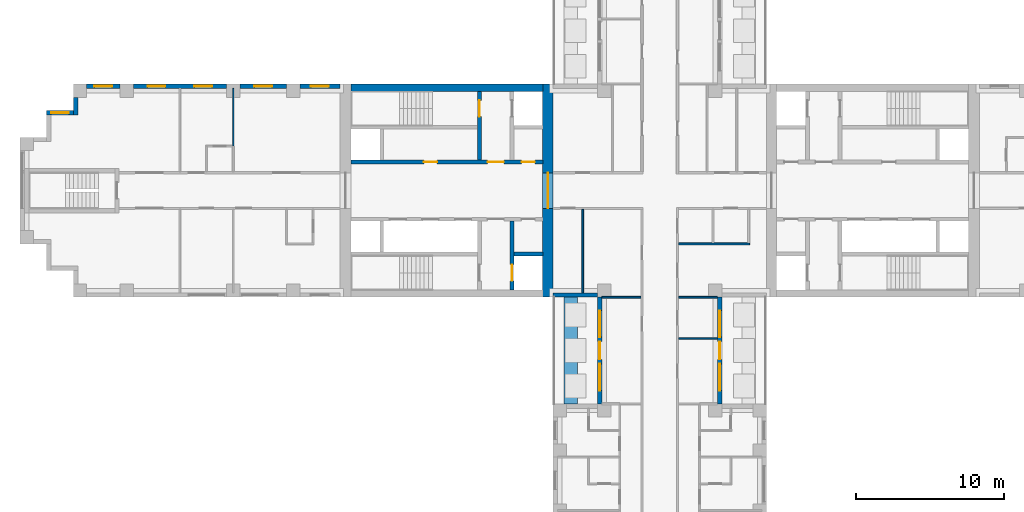
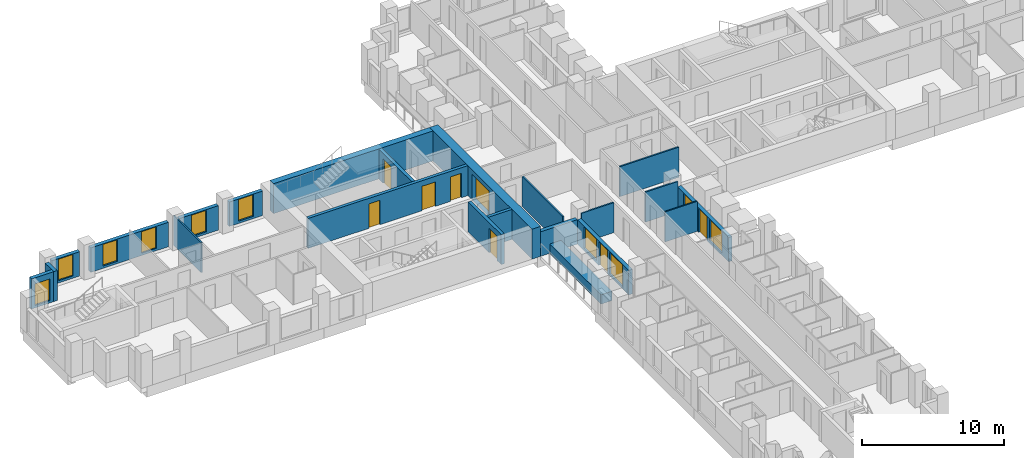
# One storey, part 7 of 14: 22 walls, 10 windows, 8 doors, 18 openings.
"""IFC4 building model written with IfcOpenShell, lengths in metres."""

from ifc_helpers import new_model, si_unit, direction, frame, frame_2d, origin, place, context, subcontext, project, spatial, rectangle, extrude, material, layer, layer_set, type_object, element, fill, save


model = new_model("IFC4")

# Units and contexts
model_context = context("Model", 3, precision=1e-05, world=origin(), true_north=direction((0.0, 1.0)))
body_context = subcontext(model_context, "Body", "Model", "MODEL_VIEW")
ifc_project = project(units=[si_unit("LENGTHUNIT", "METRE"), si_unit("AREAUNIT", "SQUARE_METRE"), si_unit("VOLUMEUNIT", "CUBIC_METRE"), si_unit("PLANEANGLEUNIT", "RADIAN"), si_unit("MASSUNIT", "GRAM", prefix="KILO")], contexts=[model_context])

# Site, building, storey
site_placement = place(None, origin())
site = spatial("IfcSite", under=ifc_project, at=site_placement, CompositionType="ELEMENT")
building_placement = place(site_placement, origin())
building = spatial("IfcBuilding", under=site, at=building_placement, Name="Fustian Cross Tower", CompositionType="ELEMENT")
storey_placement = place(building_placement, frame((0.0, 0.0, 96.89990234375)))
storey = spatial("IfcBuildingStorey", under=building, at=storey_placement, Name="L30", CompositionType="ELEMENT", Elevation=96.89990234375)

# Wall, opening, door
ifc_material_1 = material(Name="Concrete C70/85", Category="concrete")
ifc_layer_1 = layer(ifc_material_1, 0.699951171875)
ifc_layer_set_1 = layer_set([ifc_layer_1], Name="Concrete C70/85")
wall_type_1 = type_object("IfcWallType", Name="CORE END WALL 700 C70/85", PredefinedType="SHEAR", material=ifc_layer_set_1)
wall_1_placement = place(storey_placement, frame((-7.550048828125, -7.199951171875, 0.0), z_axis=(0.0, 0.0, 1.0), x_axis=(0.0, 1.0, 0.0)))
wall_1 = element("IfcWall", 1, at=wall_1_placement, inside=storey, type_object=wall_type_1, Name="Core end wall", PredefinedType="SHEAR", context=body_context, shape_type="SweptSolid", body=[
    extrude(rectangle(XDim=14.39990234375, YDim=0.699951171875, at=frame_2d((7.199951171875, 0.0))), origin(), (0.0, 0.0, 1.0), 2.5751953125),
])
opening_1_placement = place(wall_1_placement, frame((6.0, 0.0, 0.0)))
opening_1 = element("IfcOpeningElement", 2, at=opening_1_placement, cuts=wall_1, Name="Opening CD-09-26", PredefinedType="OPENING", context=body_context, shape_type="SweptSolid", body=[
    extrude(rectangle(XDim=2.39990234375, YDim=2.199951171875, at=frame_2d((1.199951171875, 1.10009765625))), frame((0.0, 0.35986328125, 0.0), z_axis=(0.0, -1.0, 0.0), x_axis=(1.0, 0.0, 0.0)), (0.0, 0.0, 1.0), 0.719970703125),
])
ifc_material_2 = material(Name="Steel", Category="steel")
door_type_1 = type_object("IfcDoorType", Name="FIRE DOOR FD30S DOUBLE 2400X2200", OperationType="DOUBLE_DOOR_DOUBLE_SWING", PredefinedType="DOOR", material=ifc_material_2)
door_1_placement = place(opening_1_placement, origin())
door_1 = element("IfcDoor", 3, at=door_1_placement, inside=storey, type_object=door_type_1, Name="Core door CD-09-26", OperationType="DOUBLE_DOOR_DOUBLE_SWING", OverallHeight=2.199951171875, OverallWidth=2.39990234375, PredefinedType="DOOR", context=body_context, shape_type="SweptSolid", body=[
    extrude(rectangle(XDim=2.39990234375, YDim=2.199951171875, at=frame_2d((1.199951171875, 1.10009765625))), frame((0.0, 0.02490234375, 0.0), z_axis=(0.0, -1.0, 0.0), x_axis=(1.0, 0.0, 0.0)), (0.0, 0.0, 1.0), 0.050048828125),
])
fill(opening_1, door_1)

# Wall
ifc_material_3 = material(Name="Concrete C70/85", Category="concrete")
ifc_layer_2 = layer(ifc_material_3, 0.5)
ifc_layer_set_2 = layer_set([ifc_layer_2], Name="Concrete C70/85")
wall_type_2 = type_object("IfcWallType", Name="CORE FACADE WALL 500 C70/85", PredefinedType="SHEAR", material=ifc_layer_set_2)
wall_2_placement = place(storey_placement, frame((-7.89990234375, 6.949951171875, 0.0), z_axis=(0.0, 0.0, 1.0), x_axis=(-1.0, 0.0, 0.0)))
element("IfcWall", 4, at=wall_2_placement, inside=storey, type_object=wall_type_2, Name="Core facade wall", PredefinedType="SHEAR", context=body_context, shape_type="SweptSolid", body=[
    extrude(rectangle(XDim=12.9501953125, YDim=0.5, at=frame_2d((6.47509765625, 0.0))), origin(), (0.0, 0.0, 1.0), 2.5751953125),
])

# Wall, openings, doors
ifc_material_4 = material(Name="Concrete C50/60", Category="concrete")
ifc_layer_3 = layer(ifc_material_4, 0.25)
ifc_layer_set_3 = layer_set([ifc_layer_3], Name="Concrete C50/60")
wall_type_3 = type_object("IfcWallType", Name="CORE LOBBY WALL 250 C50/60", PredefinedType="SHEAR", material=ifc_layer_set_3)
wall_3_placement = place(storey_placement, frame((-7.89990234375, 1.925048828125, 0.0), z_axis=(0.0, 0.0, 1.0), x_axis=(-1.0, 0.0, 0.0)))
wall_3 = element("IfcWall", 5, at=wall_3_placement, inside=storey, type_object=wall_type_3, Name="Core lobby wall", PredefinedType="SHEAR", context=body_context, shape_type="SweptSolid", body=[
    extrude(rectangle(XDim=12.9501953125, YDim=0.25, at=frame_2d((6.47509765625, 0.0))), origin(), (0.0, 0.0, 1.0), 2.5751953125),
])
opening_2_placement = place(wall_3_placement, frame((0.52490234375, 0.0, 0.0)))
opening_2 = element("IfcOpeningElement", 6, at=opening_2_placement, cuts=wall_3, Name="Opening CD-09-22", PredefinedType="OPENING", context=body_context, shape_type="SweptSolid", body=[
    extrude(rectangle(XDim=0.89990234375, YDim=2.10009765625, at=frame_2d((0.449951171875, 1.050048828125))), frame((0.0, 0.135009765625, 0.0), z_axis=(0.0, -1.0, 0.0), x_axis=(1.0, 0.0, 0.0)), (0.0, 0.0, 1.0), 0.27001953125),
])
opening_3_placement = place(wall_3_placement, frame((2.625, 0.0, 0.0)))
opening_3 = element("IfcOpeningElement", 7, at=opening_3_placement, cuts=wall_3, Name="Opening CD-09-24", PredefinedType="OPENING", context=body_context, shape_type="SweptSolid", body=[
    extrude(rectangle(XDim=1.10009765625, YDim=2.10009765625, at=frame_2d((0.550048828125, 1.050048828125))), frame((0.0, 0.135009765625, 0.0), z_axis=(0.0, -1.0, 0.0), x_axis=(1.0, 0.0, 0.0)), (0.0, 0.0, 1.0), 0.27001953125),
])
opening_4_placement = place(wall_3_placement, frame((7.125, 0.0, 0.0)))
opening_4 = element("IfcOpeningElement", 8, at=opening_4_placement, cuts=wall_3, Name="Opening CD-09-28", PredefinedType="OPENING", context=body_context, shape_type="SweptSolid", body=[
    extrude(rectangle(XDim=0.89990234375, YDim=2.10009765625, at=frame_2d((0.449951171875, 1.050048828125))), frame((0.0, 0.135009765625, 0.0), z_axis=(0.0, -1.0, 0.0), x_axis=(1.0, 0.0, 0.0)), (0.0, 0.0, 1.0), 0.27001953125),
])
ifc_material_5 = material(Name="Steel", Category="steel")
door_type_2 = type_object("IfcDoorType", Name="FIRE DOOR FD30S 900X2100", OperationType="SINGLE_SWING_LEFT", PredefinedType="DOOR", material=ifc_material_5)
door_2_placement = place(opening_4_placement, frame((0.89990234375, 0.0, 0.0), z_axis=(0.0, 0.0, 1.0), x_axis=(-1.0, 0.0, 0.0)))
door_2 = element("IfcDoor", 9, at=door_2_placement, inside=storey, type_object=door_type_2, Name="Core door CD-09-28", OperationType="SINGLE_SWING_RIGHT", OverallHeight=2.10009765625, OverallWidth=0.89990234375, PredefinedType="DOOR", context=body_context, shape_type="SweptSolid", body=[
    extrude(rectangle(XDim=0.89990234375, YDim=2.10009765625, at=frame_2d((0.449951171875, 1.050048828125))), frame((0.0, 0.02490234375, 0.0), z_axis=(0.0, -1.0, 0.0), x_axis=(1.0, 0.0, 0.0)), (0.0, 0.0, 1.0), 0.050048828125),
])
fill(opening_4, door_2)
ifc_material_6 = material(Name="Steel", Category="steel")
door_type_3 = type_object("IfcDoorType", Name="FIRE DOOR FD60S 1100X2100", OperationType="SINGLE_SWING_LEFT", PredefinedType="DOOR", material=ifc_material_6)
door_3_placement = place(opening_3_placement, frame((1.10009765625, 0.0, 0.0), z_axis=(0.0, 0.0, 1.0), x_axis=(-1.0, 0.0, 0.0)))
door_3 = element("IfcDoor", 10, at=door_3_placement, inside=storey, type_object=door_type_3, Name="Core door CD-09-24", OperationType="SINGLE_SWING_RIGHT", OverallHeight=2.10009765625, OverallWidth=1.10009765625, PredefinedType="DOOR", context=body_context, shape_type="SweptSolid", body=[
    extrude(rectangle(XDim=1.10009765625, YDim=2.10009765625, at=frame_2d((0.550048828125, 1.050048828125))), frame((0.0, 0.02490234375, 0.0), z_axis=(0.0, -1.0, 0.0), x_axis=(1.0, 0.0, 0.0)), (0.0, 0.0, 1.0), 0.050048828125),
])
fill(opening_3, door_3)
ifc_material_7 = material(Name="Steel", Category="steel")
door_type_4 = type_object("IfcDoorType", Name="FIRE DOOR FD60S 900X2100", OperationType="SINGLE_SWING_LEFT", PredefinedType="DOOR", material=ifc_material_7)
door_4_placement = place(opening_2_placement, frame((0.89990234375, 0.0, 0.0), z_axis=(0.0, 0.0, 1.0), x_axis=(-1.0, 0.0, 0.0)))
door_4 = element("IfcDoor", 11, at=door_4_placement, inside=storey, type_object=door_type_4, Name="Core door CD-09-22", OperationType="SINGLE_SWING_RIGHT", OverallHeight=2.10009765625, OverallWidth=0.89990234375, PredefinedType="DOOR", context=body_context, shape_type="SweptSolid", body=[
    extrude(rectangle(XDim=0.89990234375, YDim=2.10009765625, at=frame_2d((0.449951171875, 1.050048828125))), frame((0.0, 0.02490234375, 0.0), z_axis=(0.0, -1.0, 0.0), x_axis=(1.0, 0.0, 0.0)), (0.0, 0.0, 1.0), 0.050048828125),
])
fill(opening_2, door_4)

# Wall, opening, door
ifc_material_8 = material(Name="Concrete C50/60", Category="concrete")
ifc_layer_4 = layer(ifc_material_8, 0.25)
ifc_layer_set_4 = layer_set([ifc_layer_4], Name="Concrete C50/60")
wall_type_4 = type_object("IfcWallType", Name="CORE SHAFT WALL 250 C50/60", PredefinedType="SHEAR", material=ifc_layer_set_4)
wall_4_placement = place(storey_placement, frame((-12.175048828125, 2.050048828125, 0.0), z_axis=(0.0, 0.0, 1.0), x_axis=(0.0, 1.0, 0.0)))
wall_4 = element("IfcWall", 12, at=wall_4_placement, inside=storey, type_object=wall_type_4, Name="Core shaft wall", PredefinedType="SHEAR", context=body_context, shape_type="SweptSolid", body=[
    extrude(rectangle(XDim=4.64990234375, YDim=0.25, at=frame_2d((2.324951171875, 0.0))), origin(), (0.0, 0.0, 1.0), 2.5751953125),
])
opening_5_placement = place(wall_4_placement, frame((2.949951171875, 0.0, 0.0)))
opening_5 = element("IfcOpeningElement", 13, at=opening_5_placement, cuts=wall_4, Name="Opening CD-09-20", PredefinedType="OPENING", context=body_context, shape_type="SweptSolid", body=[
    extrude(rectangle(XDim=1.10009765625, YDim=2.10009765625, at=frame_2d((0.550048828125, 1.050048828125))), frame((0.0, 0.135009765625, 0.0), z_axis=(0.0, -1.0, 0.0), x_axis=(1.0, 0.0, 0.0)), (0.0, 0.0, 1.0), 0.27001953125),
])
door_5_placement = place(opening_5_placement, origin())
door_5 = element("IfcDoor", 14, at=door_5_placement, inside=storey, type_object=door_type_3, Name="Core door CD-09-20", OperationType="SINGLE_SWING_LEFT", OverallHeight=2.10009765625, OverallWidth=1.10009765625, PredefinedType="DOOR", context=body_context, shape_type="SweptSolid", body=[
    extrude(rectangle(XDim=1.10009765625, YDim=2.10009765625, at=frame_2d((0.550048828125, 1.050048828125))), frame((0.0, 0.02490234375, 0.0), z_axis=(0.0, -1.0, 0.0), x_axis=(1.0, 0.0, 0.0)), (0.0, 0.0, 1.0), 0.050048828125),
])
fill(opening_5, door_5)

# Wall
wall_5_placement = place(storey_placement, frame((-7.89990234375, -4.27490234375, 0.0), z_axis=(0.0, 0.0, 1.0), x_axis=(-1.0, 0.0, 0.0)))
element("IfcWall", 15, at=wall_5_placement, inside=storey, type_object=wall_type_4, Name="Core shaft wall", PredefinedType="SHEAR", context=body_context, shape_type="SweptSolid", body=[
    extrude(rectangle(XDim=1.9501953125, YDim=0.25, at=frame_2d((0.97509765625, 0.0))), origin(), (0.0, 0.0, 1.0), 2.5751953125),
])

# Wall, opening, door
wall_6_placement = place(storey_placement, frame((-9.97509765625, -2.050048828125, 0.0), z_axis=(0.0, 0.0, 1.0), x_axis=(0.0, -1.0, 0.0)))
wall_6 = element("IfcWall", 16, at=wall_6_placement, inside=storey, type_object=wall_type_4, Name="Core shaft wall", PredefinedType="SHEAR", context=body_context, shape_type="SweptSolid", body=[
    extrude(rectangle(XDim=4.64990234375, YDim=0.25, at=frame_2d((2.324951171875, 0.0))), origin(), (0.0, 0.0, 1.0), 2.5751953125),
])
opening_6_placement = place(wall_6_placement, frame((2.949951171875, 0.0, 0.0)))
opening_6 = element("IfcOpeningElement", 17, at=opening_6_placement, cuts=wall_6, Name="Opening LD", PredefinedType="OPENING", context=body_context, shape_type="SweptSolid", body=[
    extrude(rectangle(XDim=1.10009765625, YDim=2.10009765625, at=frame_2d((0.550048828125, 1.050048828125))), frame((0.0, 0.135009765625, 0.0), z_axis=(0.0, -1.0, 0.0), x_axis=(1.0, 0.0, 0.0)), (0.0, 0.0, 1.0), 0.27001953125),
])
ifc_material_9 = material(Name="Stainless steel", Category="steel")
door_type_5 = type_object("IfcDoorType", Name="LIFT LANDING DOOR 1100X2100", OperationType="SLIDING_TO_LEFT", PredefinedType="DOOR", material=ifc_material_9)
door_6_placement = place(opening_6_placement, origin())
door_6 = element("IfcDoor", 18, at=door_6_placement, inside=storey, type_object=door_type_5, Name="Landing door SV1W", OperationType="SLIDING_TO_LEFT", OverallHeight=2.10009765625, OverallWidth=1.10009765625, PredefinedType="DOOR", context=body_context, shape_type="SweptSolid", body=[
    extrude(rectangle(XDim=1.10009765625, YDim=2.10009765625, at=frame_2d((0.550048828125, 1.050048828125))), frame((0.0, 0.02490234375, 0.0), z_axis=(0.0, -1.0, 0.0), x_axis=(1.0, 0.0, 0.0)), (0.0, 0.0, 1.0), 0.050048828125),
])
fill(opening_6, door_6)

# Walls
ifc_material_10 = material(Name="Plasterboard on steel stud", Category="steel")
ifc_layer_5 = layer(ifc_material_10, 0.10009765625)
ifc_layer_set_5 = layer_set([ifc_layer_5], Name="Plasterboard on steel stud")
wall_type_5 = type_object("IfcWallType", Name="PARTITION 100 STUD", PredefinedType="PARTITIONING", material=ifc_layer_set_5)
wall_7_placement = place(storey_placement, frame((-28.800048828125, 3.0, 0.0), z_axis=(0.0, 0.0, 1.0), x_axis=(0.0, 1.0, 0.0)))
element("IfcWall", 19, at=wall_7_placement, inside=storey, type_object=wall_type_5, Name="Partition 9", PredefinedType="PARTITIONING", context=body_context, shape_type="SweptSolid", body=[
    extrude(rectangle(XDim=3.89990234375, YDim=0.10009765625, at=frame_2d((1.949951171875, 0.0))), origin(), (0.0, 0.0, 1.0), 2.5751953125),
])
wall_8_placement = place(storey_placement, frame((1.27490234375, -10.0, 0.0), z_axis=(0.0, 0.0, 1.0), x_axis=(1.0, 0.0, 0.0)))
element("IfcWall", 20, at=wall_8_placement, inside=storey, type_object=wall_type_5, Name="Partition 46", PredefinedType="PARTITIONING", context=body_context, shape_type="SweptSolid", body=[
    extrude(rectangle(XDim=2.625, YDim=0.10009765625, at=frame_2d((1.3125, 0.0))), origin(), (0.0, 0.0, 1.0), 2.5751953125),
])
ifc_material_11 = material(Name="Concrete C40/50", Category="concrete")
ifc_layer_6 = layer(ifc_material_11, 0.89990234375)
ifc_layer_set_6 = layer_set([ifc_layer_6], Name="Concrete C40/50")
wall_type_6 = type_object("IfcWallType", Name="PK1 PLANTER 900", PredefinedType="PARAPET", material=ifc_layer_set_6)
wall_9_placement = place(storey_placement, frame((-6.0, -14.39990234375, 0.0), z_axis=(0.0, 0.0, 1.0), x_axis=(0.0, 1.0, 0.0)))
element("IfcWall", 21, at=wall_9_placement, inside=storey, type_object=wall_type_6, Name="PLANTER", PredefinedType="PARAPET", context=body_context, shape_type="SweptSolid", body=[
    extrude(rectangle(XDim=7.199951171875, YDim=0.89990234375, at=frame_2d((3.60009765625, 0.0))), origin(), (0.0, 0.0, 1.0), 0.800048828125),
])
ifc_material_12 = material(Name="Plasterboard on steel stud", Category="steel")
ifc_layer_7 = layer(ifc_material_12, 0.125)
ifc_layer_set_7 = layer_set([ifc_layer_7], Name="Plasterboard on steel stud")
wall_type_7 = type_object("IfcWallType", Name="WET WALL 125 STUD", PredefinedType="PARTITIONING", material=ifc_layer_set_7)
wall_10_placement = place(storey_placement, frame((-5.199951171875, -6.89990234375, 0.0), z_axis=(0.0, 0.0, 1.0), x_axis=(0.0, 1.0, 0.0)))
element("IfcWall", 22, at=wall_10_placement, inside=storey, type_object=wall_type_7, Name="Partition 22", PredefinedType="PARTITIONING", context=body_context, shape_type="SweptSolid", body=[
    extrude(rectangle(XDim=5.625, YDim=0.125, at=frame_2d((2.8125, 0.0))), origin(), (0.0, 0.0, 1.0), 2.5751953125),
])
for number, where, z_axis, x_axis, name in (
    (23, (-3.89990234375, -7.199951171875, 0.0), (0.0, 0.0, 1.0), (1.0, 0.0, 0.0), "Partition 34"),
    (24, (1.27490234375, -7.199951171875, 0.0), (0.0, 0.0, 1.0), (1.0, 0.0, 0.0), "Partition 47"),
):
    element("IfcWall", number, at=place(storey_placement, frame(where, z_axis=z_axis, x_axis=x_axis)), inside=storey, type_object=wall_type_7, Name=name, PredefinedType="PARTITIONING", context=body_context, shape_type="SweptSolid", body=[
        extrude(rectangle(XDim=2.625, YDim=0.125, at=frame_2d((1.3125, 0.0))), origin(), (0.0, 0.0, 1.0), 2.5751953125),
    ])
wall_11_placement = place(storey_placement, frame((1.27490234375, -3.60009765625, 0.0), z_axis=(0.0, 0.0, 1.0), x_axis=(1.0, 0.0, 0.0)))
element("IfcWall", 25, at=wall_11_placement, inside=storey, type_object=wall_type_7, Name="Partition 48", PredefinedType="PARTITIONING", context=body_context, shape_type="SweptSolid", body=[
    extrude(rectangle(XDim=4.78759765625, YDim=0.125, at=frame_2d((2.393798828125, 0.0))), origin(), (0.0, 0.0, 1.0), 2.5751953125),
])

# Wall, opening, window
ifc_material_13 = material(Name="Dark aluminium cladding on insulated backing wall", Category="aluminium")
ifc_layer_8 = layer(ifc_material_13, 0.300048828125)
ifc_layer_set_8 = layer_set([ifc_layer_8], Name="Dark aluminium cladding on insulated backing wall")
wall_type_8 = type_object("IfcWallType", Name="XW1 EXTERNAL WALL 300", PredefinedType="SOLIDWALL", material=ifc_layer_set_8)
wall_12_placement = place(storey_placement, frame((-21.60009765625, 7.050048828125, 0.0), z_axis=(0.0, 0.0, 1.0), x_axis=(-1.0, 0.0, 0.0)))
wall_12 = element("IfcWall", 26, at=wall_12_placement, inside=storey, type_object=wall_type_8, Name="External wall", PredefinedType="SOLIDWALL", context=body_context, shape_type="SweptSolid", body=[
    extrude(rectangle(XDim=2.699951171875, YDim=0.300048828125, at=frame_2d((1.35009765625, 0.0))), origin(), (0.0, 0.0, 1.0), 2.10009765625),
])
opening_7_placement = place(wall_12_placement, frame((0.75, 0.0, 0.199951171875)))
opening_7 = element("IfcOpeningElement", 27, at=opening_7_placement, cuts=wall_12, Name="Opening WN3", PredefinedType="OPENING", context=body_context, shape_type="SweptSolid", body=[
    extrude(rectangle(XDim=1.199951171875, YDim=1.85009765625, at=frame_2d((0.60009765625, 0.925048828125))), frame((0.0, 0.159912109375, 0.0), z_axis=(0.0, -1.0, 0.0), x_axis=(1.0, 0.0, 0.0)), (0.0, 0.0, 1.0), 0.320068359375),
])
ifc_material_14 = material(Name="Dark anodised aluminium and double glazing", Category="aluminium")
window_type_1 = type_object("IfcWindowType", Name="WN3 WINDOW 1200X1850", PartitioningType="SINGLE_PANEL", PredefinedType="WINDOW", material=ifc_material_14)
window_1_placement = place(opening_7_placement, origin())
window_1 = element("IfcWindow", 28, at=window_1_placement, inside=storey, type_object=window_type_1, Name="Window", OverallHeight=1.85009765625, OverallWidth=1.199951171875, PartitioningType="SINGLE_PANEL", PredefinedType="WINDOW", context=body_context, shape_type="SweptSolid", body=[
    extrude(rectangle(XDim=1.199951171875, YDim=1.85009765625, at=frame_2d((0.60009765625, 0.925048828125))), frame((0.0, 0.030029296875, 0.0), z_axis=(0.0, -1.0, 0.0), x_axis=(1.0, 0.0, 0.0)), (0.0, 0.0, 1.0), 0.06005859375),
])
fill(opening_7, window_1)

wall_13_placement = place(storey_placement, frame((-25.199951171875, 7.050048828125, 0.0), z_axis=(0.0, 0.0, 1.0), x_axis=(-1.0, 0.0, 0.0)))
wall_13 = element("IfcWall", 29, at=wall_13_placement, inside=storey, type_object=wall_type_8, Name="External wall", PredefinedType="SOLIDWALL", context=body_context, shape_type="SweptSolid", body=[
    extrude(rectangle(XDim=3.150146484375, YDim=0.300048828125, at=frame_2d((1.5751953125, 0.0))), origin(), (0.0, 0.0, 1.0), 2.10009765625),
])
opening_8_placement = place(wall_13_placement, frame((0.97509765625, 0.0, 0.199951171875)))
opening_8 = element("IfcOpeningElement", 30, at=opening_8_placement, cuts=wall_13, Name="Opening WN3", PredefinedType="OPENING", context=body_context, shape_type="SweptSolid", body=[
    extrude(rectangle(XDim=1.199951171875, YDim=1.85009765625, at=frame_2d((0.60009765625, 0.925048828125))), frame((0.0, 0.159912109375, 0.0), z_axis=(0.0, -1.0, 0.0), x_axis=(1.0, 0.0, 0.0)), (0.0, 0.0, 1.0), 0.320068359375),
])
window_2_placement = place(opening_8_placement, origin())
window_2 = element("IfcWindow", 31, at=window_2_placement, inside=storey, type_object=window_type_1, Name="Window", OverallHeight=1.85009765625, OverallWidth=1.199951171875, PartitioningType="SINGLE_PANEL", PredefinedType="WINDOW", context=body_context, shape_type="SweptSolid", body=[
    extrude(rectangle(XDim=1.199951171875, YDim=1.85009765625, at=frame_2d((0.60009765625, 0.925048828125))), frame((0.0, 0.030029296875, 0.0), z_axis=(0.0, -1.0, 0.0), x_axis=(1.0, 0.0, 0.0)), (0.0, 0.0, 1.0), 0.06005859375),
])
fill(opening_8, window_2)

# Wall, openings, windows
wall_14_placement = place(storey_placement, frame((-29.25, 7.050048828125, 0.0), z_axis=(0.0, 0.0, 1.0), x_axis=(-1.0, 0.0, 0.0)))
wall_14 = element("IfcWall", 32, at=wall_14_placement, inside=storey, type_object=wall_type_8, Name="External wall", PredefinedType="SOLIDWALL", context=body_context, shape_type="SweptSolid", body=[
    extrude(rectangle(XDim=6.300048828125, YDim=0.300048828125, at=frame_2d((3.14990234375, 0.0))), origin(), (0.0, 0.0, 1.0), 2.10009765625),
])
opening_9_placement = place(wall_14_placement, frame((0.97509765625, 0.0, 0.199951171875)))
opening_9 = element("IfcOpeningElement", 33, at=opening_9_placement, cuts=wall_14, Name="Opening WN3", PredefinedType="OPENING", context=body_context, shape_type="SweptSolid", body=[
    extrude(rectangle(XDim=1.199951171875, YDim=1.85009765625, at=frame_2d((0.60009765625, 0.925048828125))), frame((0.0, 0.159912109375, 0.0), z_axis=(0.0, -1.0, 0.0), x_axis=(1.0, 0.0, 0.0)), (0.0, 0.0, 1.0), 0.320068359375),
])
opening_10_placement = place(wall_14_placement, frame((4.125, 0.0, 0.199951171875)))
opening_10 = element("IfcOpeningElement", 34, at=opening_10_placement, cuts=wall_14, Name="Opening WN3", PredefinedType="OPENING", context=body_context, shape_type="SweptSolid", body=[
    extrude(rectangle(XDim=1.199951171875, YDim=1.85009765625, at=frame_2d((0.60009765625, 0.925048828125))), frame((0.0, 0.159912109375, 0.0), z_axis=(0.0, -1.0, 0.0), x_axis=(1.0, 0.0, 0.0)), (0.0, 0.0, 1.0), 0.320068359375),
])
window_3_placement = place(opening_9_placement, origin())
window_3 = element("IfcWindow", 35, at=window_3_placement, inside=storey, type_object=window_type_1, Name="Window", OverallHeight=1.85009765625, OverallWidth=1.199951171875, PartitioningType="SINGLE_PANEL", PredefinedType="WINDOW", context=body_context, shape_type="SweptSolid", body=[
    extrude(rectangle(XDim=1.199951171875, YDim=1.85009765625, at=frame_2d((0.60009765625, 0.925048828125))), frame((0.0, 0.030029296875, 0.0), z_axis=(0.0, -1.0, 0.0), x_axis=(1.0, 0.0, 0.0)), (0.0, 0.0, 1.0), 0.06005859375),
])
fill(opening_9, window_3)
window_4_placement = place(opening_10_placement, origin())
window_4 = element("IfcWindow", 36, at=window_4_placement, inside=storey, type_object=window_type_1, Name="Window", OverallHeight=1.85009765625, OverallWidth=1.199951171875, PartitioningType="SINGLE_PANEL", PredefinedType="WINDOW", context=body_context, shape_type="SweptSolid", body=[
    extrude(rectangle(XDim=1.199951171875, YDim=1.85009765625, at=frame_2d((0.60009765625, 0.925048828125))), frame((0.0, 0.030029296875, 0.0), z_axis=(0.0, -1.0, 0.0), x_axis=(1.0, 0.0, 0.0)), (0.0, 0.0, 1.0), 0.06005859375),
])
fill(opening_10, window_4)

# Wall, opening, window
wall_15_placement = place(storey_placement, frame((-36.449951171875, 7.050048828125, 0.0), z_axis=(0.0, 0.0, 1.0), x_axis=(-1.0, 0.0, 0.0)))
wall_15 = element("IfcWall", 37, at=wall_15_placement, inside=storey, type_object=wall_type_8, Name="External wall", PredefinedType="SOLIDWALL", context=body_context, shape_type="SweptSolid", body=[
    extrude(rectangle(XDim=2.25, YDim=0.300048828125, at=frame_2d((1.125, 0.0))), origin(), (0.0, 0.0, 1.0), 2.10009765625),
])
opening_11_placement = place(wall_15_placement, frame((0.52490234375, 0.0, 0.199951171875)))
opening_11 = element("IfcOpeningElement", 38, at=opening_11_placement, cuts=wall_15, Name="Opening WN3", PredefinedType="OPENING", context=body_context, shape_type="SweptSolid", body=[
    extrude(rectangle(XDim=1.199951171875, YDim=1.85009765625, at=frame_2d((0.60009765625, 0.925048828125))), frame((0.0, 0.159912109375, 0.0), z_axis=(0.0, -1.0, 0.0), x_axis=(1.0, 0.0, 0.0)), (0.0, 0.0, 1.0), 0.320068359375),
])
window_5_placement = place(opening_11_placement, origin())
window_5 = element("IfcWindow", 39, at=window_5_placement, inside=storey, type_object=window_type_1, Name="Window", OverallHeight=1.85009765625, OverallWidth=1.199951171875, PartitioningType="SINGLE_PANEL", PredefinedType="WINDOW", context=body_context, shape_type="SweptSolid", body=[
    extrude(rectangle(XDim=1.199951171875, YDim=1.85009765625, at=frame_2d((0.60009765625, 0.925048828125))), frame((0.0, 0.030029296875, 0.0), z_axis=(0.0, -1.0, 0.0), x_axis=(1.0, 0.0, 0.0)), (0.0, 0.0, 1.0), 0.06005859375),
])
fill(opening_11, window_5)

# Wall
wall_16_placement = place(storey_placement, frame((-39.449951171875, 6.300048828125, 0.0), z_axis=(0.0, 0.0, 1.0), x_axis=(0.0, -1.0, 0.0)))
element("IfcWall", 40, at=wall_16_placement, inside=storey, type_object=wall_type_8, Name="External wall", PredefinedType="SOLIDWALL", context=body_context, shape_type="SweptSolid", body=[
    extrude(rectangle(XDim=1.199951171875, YDim=0.300048828125, at=frame_2d((0.60009765625, 0.0))), origin(), (0.0, 0.0, 1.0), 2.5751953125),
])

# Wall, opening, window
wall_17_placement = place(storey_placement, frame((-39.60009765625, 5.25, 0.0), z_axis=(0.0, 0.0, 1.0), x_axis=(-1.0, 0.0, 0.0)))
wall_17 = element("IfcWall", 41, at=wall_17_placement, inside=storey, type_object=wall_type_8, Name="External wall", PredefinedType="SOLIDWALL", context=body_context, shape_type="SweptSolid", body=[
    extrude(rectangle(XDim=1.7998046875, YDim=0.300048828125, at=frame_2d((0.89990234375, 0.0))), origin(), (0.0, 0.0, 1.0), 2.5751953125),
])
opening_12_placement = place(wall_17_placement, frame((0.300048828125, 0.0, 0.199951171875)))
opening_12 = element("IfcOpeningElement", 42, at=opening_12_placement, cuts=wall_17, Name="Opening WN3", PredefinedType="OPENING", context=body_context, shape_type="SweptSolid", body=[
    extrude(rectangle(XDim=1.199951171875, YDim=1.85009765625, at=frame_2d((0.60009765625, 0.925048828125))), frame((0.0, 0.159912109375, 0.0), z_axis=(0.0, -1.0, 0.0), x_axis=(1.0, 0.0, 0.0)), (0.0, 0.0, 1.0), 0.320068359375),
])
window_6_placement = place(opening_12_placement, origin())
window_6 = element("IfcWindow", 43, at=window_6_placement, inside=storey, type_object=window_type_1, Name="Window", OverallHeight=1.85009765625, OverallWidth=1.199951171875, PartitioningType="SINGLE_PANEL", PredefinedType="WINDOW", context=body_context, shape_type="SweptSolid", body=[
    extrude(rectangle(XDim=1.199951171875, YDim=1.85009765625, at=frame_2d((0.60009765625, 0.925048828125))), frame((0.0, 0.030029296875, 0.0), z_axis=(0.0, -1.0, 0.0), x_axis=(1.0, 0.0, 0.0)), (0.0, 0.0, 1.0), 0.06005859375),
])
fill(opening_12, window_6)

# Wall
wall_18_placement = place(storey_placement, frame((-7.199951171875, -7.050048828125, 0.0), z_axis=(0.0, 0.0, 1.0), x_axis=(1.0, 0.0, 0.0)))
element("IfcWall", 44, at=wall_18_placement, inside=storey, type_object=wall_type_8, Name="External wall", PredefinedType="SOLIDWALL", context=body_context, shape_type="SweptSolid", body=[
    extrude(rectangle(XDim=3.0, YDim=0.300048828125, at=frame_2d((1.5, 0.0))), origin(), (0.0, 0.0, 1.0), 2.10009765625),
])

# Wall, openings, door, windows
wall_19_placement = place(storey_placement, frame((-4.050048828125, -7.199951171875, 0.0), z_axis=(0.0, 0.0, 1.0), x_axis=(0.0, -1.0, 0.0)))
wall_19 = element("IfcWall", 45, at=wall_19_placement, inside=storey, type_object=wall_type_8, Name="External wall", PredefinedType="SOLIDWALL", context=body_context, shape_type="SweptSolid", body=[
    extrude(rectangle(XDim=7.199951171875, YDim=0.300048828125, at=frame_2d((3.60009765625, 0.0))), origin(), (0.0, 0.0, 1.0), 2.10009765625),
])
opening_13_placement = place(wall_19_placement, frame((3.0, 0.0, 0.0)))
opening_13 = element("IfcOpeningElement", 46, at=opening_13_placement, cuts=wall_19, Name="Opening XD4", PredefinedType="OPENING", context=body_context, shape_type="SweptSolid", body=[
    extrude(rectangle(XDim=1.199951171875, YDim=2.050048828125, at=frame_2d((0.60009765625, 1.02490234375))), frame((0.0, 0.159912109375, 0.0), z_axis=(0.0, -1.0, 0.0), x_axis=(1.0, 0.0, 0.0)), (0.0, 0.0, 1.0), 0.320068359375),
])
opening_14_placement = place(wall_19_placement, frame((0.89990234375, 0.0, 0.199951171875)))
opening_14 = element("IfcOpeningElement", 47, at=opening_14_placement, cuts=wall_19, Name="Opening WN2", PredefinedType="OPENING", context=body_context, shape_type="SweptSolid", body=[
    extrude(rectangle(XDim=1.800048828125, YDim=1.85009765625, at=frame_2d((0.89990234375, 0.925048828125))), frame((0.0, 0.159912109375, 0.0), z_axis=(0.0, -1.0, 0.0), x_axis=(1.0, 0.0, 0.0)), (0.0, 0.0, 1.0), 0.320068359375),
])
opening_15_placement = place(wall_19_placement, frame((4.5, 0.0, 0.199951171875)))
opening_15 = element("IfcOpeningElement", 48, at=opening_15_placement, cuts=wall_19, Name="Opening WN2", PredefinedType="OPENING", context=body_context, shape_type="SweptSolid", body=[
    extrude(rectangle(XDim=1.800048828125, YDim=1.85009765625, at=frame_2d((0.89990234375, 0.925048828125))), frame((0.0, 0.159912109375, 0.0), z_axis=(0.0, -1.0, 0.0), x_axis=(1.0, 0.0, 0.0)), (0.0, 0.0, 1.0), 0.320068359375),
])
ifc_material_15 = material(Name="Dark anodised aluminium and double glazing", Category="aluminium")
door_type_6 = type_object("IfcDoorType", Name="ED1 BALCONY DOOR 1200X2050", OperationType="SINGLE_SWING_LEFT", PredefinedType="DOOR", material=ifc_material_15)
door_7_placement = place(opening_13_placement, origin())
door_7 = element("IfcDoor", 49, at=door_7_placement, inside=storey, type_object=door_type_6, Name="Balcony door", OperationType="SINGLE_SWING_LEFT", OverallHeight=2.050048828125, OverallWidth=1.199951171875, PredefinedType="DOOR", context=body_context, shape_type="SweptSolid", body=[
    extrude(rectangle(XDim=1.199951171875, YDim=2.050048828125, at=frame_2d((0.60009765625, 1.02490234375))), frame((0.0, 0.02490234375, 0.0), z_axis=(0.0, -1.0, 0.0), x_axis=(1.0, 0.0, 0.0)), (0.0, 0.0, 1.0), 0.050048828125),
])
fill(opening_13, door_7)
ifc_material_16 = material(Name="Dark anodised aluminium and double glazing", Category="aluminium")
window_type_2 = type_object("IfcWindowType", Name="WN2 WINDOW 1800X1850", PartitioningType="SINGLE_PANEL", PredefinedType="WINDOW", material=ifc_material_16)
window_7_placement = place(opening_14_placement, origin())
window_7 = element("IfcWindow", 50, at=window_7_placement, inside=storey, type_object=window_type_2, Name="Window", OverallHeight=1.85009765625, OverallWidth=1.800048828125, PartitioningType="SINGLE_PANEL", PredefinedType="WINDOW", context=body_context, shape_type="SweptSolid", body=[
    extrude(rectangle(XDim=1.800048828125, YDim=1.85009765625, at=frame_2d((0.89990234375, 0.925048828125))), frame((0.0, 0.030029296875, 0.0), z_axis=(0.0, -1.0, 0.0), x_axis=(1.0, 0.0, 0.0)), (0.0, 0.0, 1.0), 0.06005859375),
])
fill(opening_14, window_7)
window_8_placement = place(opening_15_placement, origin())
window_8 = element("IfcWindow", 51, at=window_8_placement, inside=storey, type_object=window_type_2, Name="Window", OverallHeight=1.85009765625, OverallWidth=1.800048828125, PartitioningType="SINGLE_PANEL", PredefinedType="WINDOW", context=body_context, shape_type="SweptSolid", body=[
    extrude(rectangle(XDim=1.800048828125, YDim=1.85009765625, at=frame_2d((0.89990234375, 0.925048828125))), frame((0.0, 0.030029296875, 0.0), z_axis=(0.0, -1.0, 0.0), x_axis=(1.0, 0.0, 0.0)), (0.0, 0.0, 1.0), 0.06005859375),
])
fill(opening_15, window_8)

wall_20_placement = place(storey_placement, frame((4.050048828125, -14.39990234375, 0.0), z_axis=(0.0, 0.0, 1.0), x_axis=(0.0, 1.0, 0.0)))
wall_20 = element("IfcWall", 52, at=wall_20_placement, inside=storey, type_object=wall_type_8, Name="External wall", PredefinedType="SOLIDWALL", context=body_context, shape_type="SweptSolid", body=[
    extrude(rectangle(XDim=7.199951171875, YDim=0.300048828125, at=frame_2d((3.60009765625, 0.0))), origin(), (0.0, 0.0, 1.0), 2.10009765625),
])
opening_16_placement = place(wall_20_placement, frame((3.0, 0.0, 0.0)))
opening_16 = element("IfcOpeningElement", 53, at=opening_16_placement, cuts=wall_20, Name="Opening XD3", PredefinedType="OPENING", context=body_context, shape_type="SweptSolid", body=[
    extrude(rectangle(XDim=1.199951171875, YDim=2.050048828125, at=frame_2d((0.60009765625, 1.02490234375))), frame((0.0, 0.159912109375, 0.0), z_axis=(0.0, -1.0, 0.0), x_axis=(1.0, 0.0, 0.0)), (0.0, 0.0, 1.0), 0.320068359375),
])
opening_17_placement = place(wall_20_placement, frame((0.89990234375, 0.0, 0.199951171875)))
opening_17 = element("IfcOpeningElement", 54, at=opening_17_placement, cuts=wall_20, Name="Opening WN2", PredefinedType="OPENING", context=body_context, shape_type="SweptSolid", body=[
    extrude(rectangle(XDim=1.800048828125, YDim=1.85009765625, at=frame_2d((0.89990234375, 0.925048828125))), frame((0.0, 0.159912109375, 0.0), z_axis=(0.0, -1.0, 0.0), x_axis=(1.0, 0.0, 0.0)), (0.0, 0.0, 1.0), 0.320068359375),
])
opening_18_placement = place(wall_20_placement, frame((4.5, 0.0, 0.199951171875)))
opening_18 = element("IfcOpeningElement", 55, at=opening_18_placement, cuts=wall_20, Name="Opening WN2", PredefinedType="OPENING", context=body_context, shape_type="SweptSolid", body=[
    extrude(rectangle(XDim=1.800048828125, YDim=1.85009765625, at=frame_2d((0.89990234375, 0.925048828125))), frame((0.0, 0.159912109375, 0.0), z_axis=(0.0, -1.0, 0.0), x_axis=(1.0, 0.0, 0.0)), (0.0, 0.0, 1.0), 0.320068359375),
])
door_8_placement = place(opening_16_placement, origin())
door_8 = element("IfcDoor", 56, at=door_8_placement, inside=storey, type_object=door_type_6, Name="Balcony door", OperationType="SINGLE_SWING_LEFT", OverallHeight=2.050048828125, OverallWidth=1.199951171875, PredefinedType="DOOR", context=body_context, shape_type="SweptSolid", body=[
    extrude(rectangle(XDim=1.199951171875, YDim=2.050048828125, at=frame_2d((0.60009765625, 1.02490234375))), frame((0.0, 0.02490234375, 0.0), z_axis=(0.0, -1.0, 0.0), x_axis=(1.0, 0.0, 0.0)), (0.0, 0.0, 1.0), 0.050048828125),
])
fill(opening_16, door_8)
window_9_placement = place(opening_17_placement, origin())
window_9 = element("IfcWindow", 57, at=window_9_placement, inside=storey, type_object=window_type_2, Name="Window", OverallHeight=1.85009765625, OverallWidth=1.800048828125, PartitioningType="SINGLE_PANEL", PredefinedType="WINDOW", context=body_context, shape_type="SweptSolid", body=[
    extrude(rectangle(XDim=1.800048828125, YDim=1.85009765625, at=frame_2d((0.89990234375, 0.925048828125))), frame((0.0, 0.030029296875, 0.0), z_axis=(0.0, -1.0, 0.0), x_axis=(1.0, 0.0, 0.0)), (0.0, 0.0, 1.0), 0.06005859375),
])
fill(opening_17, window_9)
window_10_placement = place(opening_18_placement, origin())
window_10 = element("IfcWindow", 58, at=window_10_placement, inside=storey, type_object=window_type_2, Name="Window", OverallHeight=1.85009765625, OverallWidth=1.800048828125, PartitioningType="SINGLE_PANEL", PredefinedType="WINDOW", context=body_context, shape_type="SweptSolid", body=[
    extrude(rectangle(XDim=1.800048828125, YDim=1.85009765625, at=frame_2d((0.89990234375, 0.925048828125))), frame((0.0, 0.030029296875, 0.0), z_axis=(0.0, -1.0, 0.0), x_axis=(1.0, 0.0, 0.0)), (0.0, 0.0, 1.0), 0.06005859375),
])
fill(opening_18, window_10)

save(model, "model.ifc")
